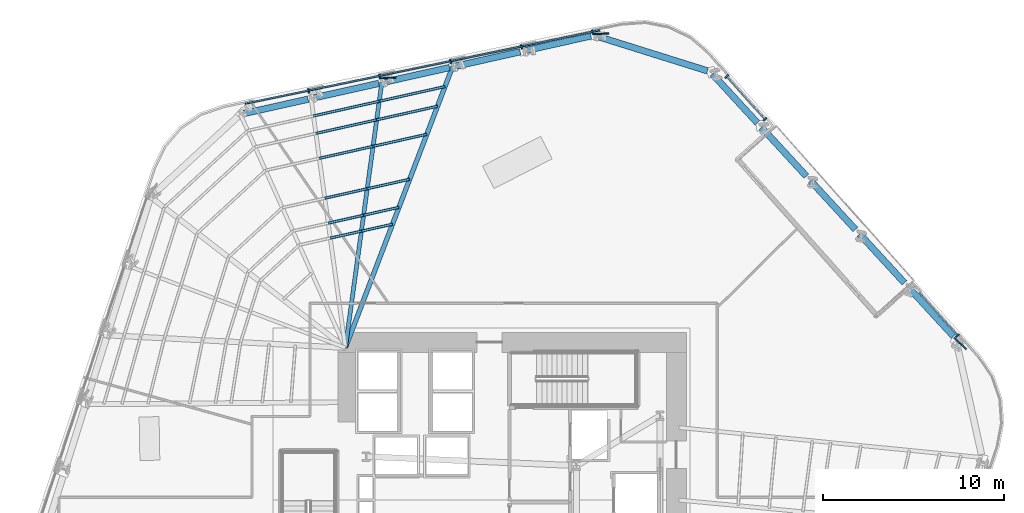
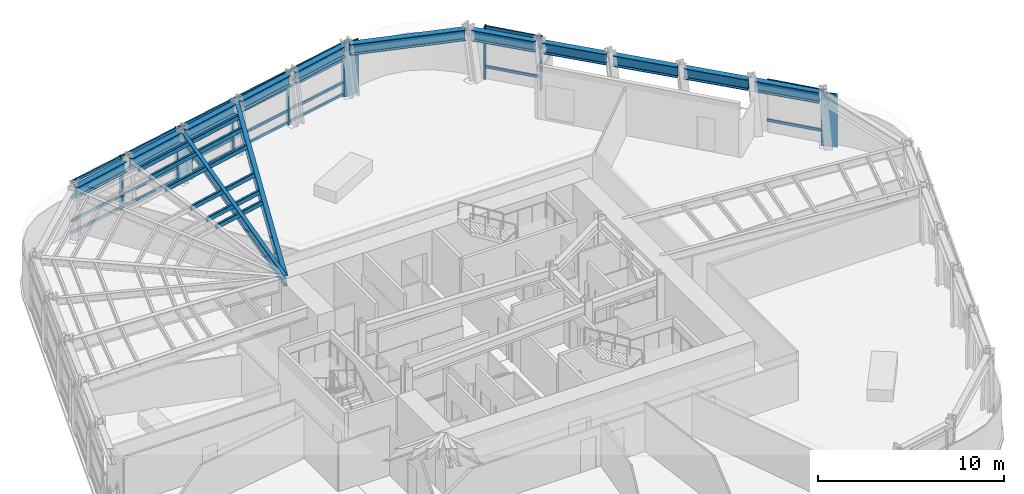
# One storey, part 6 of 17: 31 members, 13 beams, 2 elements without a shape of their own.
"""IFC4 building model written with IfcOpenShell, lengths in metres."""

from ifc_helpers import new_model, si_unit, direction, frame, origin, origin_2d, place, context, subcontext, project, spatial, rectangle, hollow_rectangle, i_section, extrude, material, layer, layer_set, material_profile, profile_set, type_object, element, aggregate, save


model = new_model("IFC4")

# Units and contexts
model_context = context("Model", 3, precision=1e-05, world=origin(), true_north=direction((0.0, 1.0)))
body_context = subcontext(model_context, "Body", "Model", "MODEL_VIEW")
ifc_project = project(units=[si_unit("LENGTHUNIT", "METRE"), si_unit("AREAUNIT", "SQUARE_METRE"), si_unit("VOLUMEUNIT", "CUBIC_METRE"), si_unit("PLANEANGLEUNIT", "RADIAN"), si_unit("MASSUNIT", "GRAM", prefix="KILO")], contexts=[model_context])

# Site, building, storey
site_placement = place(None, origin())
site = spatial("IfcSite", under=ifc_project, at=site_placement, CompositionType="ELEMENT")
building_placement = place(site_placement, origin())
building = spatial("IfcBuilding", under=site, at=building_placement, Name="Valkerne Bourse Tower", CompositionType="ELEMENT")
storey_placement = place(building_placement, frame((0.0, 0.0, 73.39990234375)))
storey = spatial("IfcBuildingStorey", under=building, at=storey_placement, Name="L18", CompositionType="ELEMENT", Elevation=73.39990234375)

# Beams
ifc_material_1 = material(Name="Steel ASTM A992", Category="steel")
ifc_material_profile_1 = material_profile(ifc_material_1, i_section(OverallWidth=0.228271484375, OverallDepth=0.607177734375, WebThickness=0.01123046875, FlangeThickness=0.017333984375, FilletRadius=0.017822265625, at=origin_2d()), Name="W24X76")
ifc_profile_set_1 = profile_set([ifc_material_profile_1], Name="Steel ASTM A992")
beam_type_1 = type_object("IfcBeamType", Name="BM-W24X76", PredefinedType="JOIST", material=ifc_profile_set_1)
beam_1_placement = place(storey_placement, frame((39.607666015625, 50.017578125, 3.216552734375), z_axis=(-0.136061222616, -0.990700430857, 0.0), x_axis=(0.990700430857, -0.136061222616, 0.0)))
element("IfcBeam", 1, at=beam_1_placement, inside=storey, type_object=beam_type_1, Name="L18 Radial Composite Floor Beam 09", PredefinedType="JOIST", context=body_context, shape_type="SweptSolid", body=[
    extrude(i_section(OverallWidth=0.228271484375, OverallDepth=0.607177734375, WebThickness=0.01123046875, FlangeThickness=0.017333984375, FilletRadius=0.017822265625, at=origin_2d()), origin(), (0.0, 0.0, 1.0), 14.7548828125),
])
ifc_material_profile_2 = material_profile(ifc_material_1, i_section(OverallWidth=0.255859375, OverallDepth=0.693359375, WebThickness=0.014404296875, FlangeThickness=0.023681640625, FilletRadius=0.02294921875, at=origin_2d()), Name="W27X114")
ifc_profile_set_2 = profile_set([ifc_material_profile_2], Name="Steel ASTM A992")
beam_type_2 = type_object("IfcBeamType", Name="BM-W27X114", PredefinedType="BEAM", material=ifc_profile_set_2)
beam_2_placement = place(storey_placement, frame((43.50732421875, 50.889404296875, 3.17333984375), z_axis=(-0.356335805119, -0.934357958167, 0.0), x_axis=(0.934357958167, -0.356335805119, 0.0)))
element("IfcBeam", 2, at=beam_2_placement, inside=storey, type_object=beam_type_2, Name="L18 Radial Composite Floor Beam 08", PredefinedType="BEAM", context=body_context, shape_type="SweptSolid", body=[
    extrude(i_section(OverallWidth=0.255859375, OverallDepth=0.693359375, WebThickness=0.014404296875, FlangeThickness=0.023681640625, FilletRadius=0.02294921875, at=origin_2d()), origin(), (0.0, 0.0, 1.0), 16.57763671875),
])
ifc_material_profile_3 = material_profile(ifc_material_1, i_section(OverallWidth=0.358154296875, OverallDepth=0.7060546875, WebThickness=0.018310546875, FlangeThickness=0.0302734375, FilletRadius=0.02294921875, at=origin_2d()), Name="W27X178")
ifc_profile_set_3 = profile_set([ifc_material_profile_3], Name="Steel ASTM A992")
beam_type_3 = type_object("IfcBeamType", Name="BM-W27X178", PredefinedType="SPANDREL", material=ifc_profile_set_3)
for number, where, z_axis, x_axis, name in (
    (3, (71.136962890625, 36.038330078125, 3.1669921875), (-0.676869887197, 0.736102680206, 0.0), (-0.736102680206, -0.676869887197, 0.0), "L18 Hexagonal Spandrel Ring Beam 00"),
    (4, (68.43212890625, 38.979736328125, 3.1669921875), (-0.676869887197, 0.736102680206, 0.0), (-0.736102680206, -0.676869887197, 0.0), "L18 Hexagonal Spandrel Ring Beam 01"),
    (5, (65.727294921875, 41.921142578125, 3.1669921875), (-0.676869887197, 0.736102680206, 0.0), (-0.736102680206, -0.676869887197, 0.0), "L18 Hexagonal Spandrel Ring Beam 02"),
):
    element("IfcBeam", number, at=place(storey_placement, frame(where, z_axis=z_axis, x_axis=x_axis)), inside=storey, type_object=beam_type_3, Name=name, PredefinedType="SPANDREL", context=body_context, shape_type="SweptSolid", body=[
        extrude(i_section(OverallWidth=0.358154296875, OverallDepth=0.7060546875, WebThickness=0.018310546875, FlangeThickness=0.0302734375, FilletRadius=0.02294921875, at=origin_2d()), origin(), (0.0, 0.0, 1.0), 3.656005859375),
    ])
beam_3_placement = place(storey_placement, frame((63.0224609375, 44.862548828125, 3.1669921875), z_axis=(-0.67683661589, 0.736133272846, 0.0), x_axis=(-0.736133272846, -0.67683661589, 0.0)))
element("IfcBeam", 6, at=beam_3_placement, inside=storey, type_object=beam_type_3, Name="L18 Hexagonal Spandrel Ring Beam 03", PredefinedType="SPANDREL", context=body_context, shape_type="SweptSolid", body=[
    extrude(i_section(OverallWidth=0.358154296875, OverallDepth=0.7060546875, WebThickness=0.018310546875, FlangeThickness=0.0302734375, FilletRadius=0.02294921875, at=origin_2d()), origin(), (0.0, 0.0, 1.0), 3.65625),
])
beam_4_placement = place(storey_placement, frame((60.317626953125, 47.80419921875, 3.1669921875), z_axis=(-0.676869887197, 0.736102680206, 0.0), x_axis=(-0.736102680206, -0.676869887197, 0.0)))
element("IfcBeam", 7, at=beam_4_placement, inside=storey, type_object=beam_type_3, Name="L18 Hexagonal Spandrel Ring Beam 04", PredefinedType="SPANDREL", context=body_context, shape_type="SweptSolid", body=[
    extrude(i_section(OverallWidth=0.358154296875, OverallDepth=0.7060546875, WebThickness=0.018310546875, FlangeThickness=0.0302734375, FilletRadius=0.02294921875, at=origin_2d()), origin(), (0.0, 0.0, 1.0), 3.656005859375),
])
beam_5_placement = place(storey_placement, frame((57.56591796875, 50.671142578125, 3.1669921875), z_axis=(-0.954241024327, 0.299038571913, 0.0), x_axis=(-0.299038571913, -0.954241024327, 0.0)))
element("IfcBeam", 8, at=beam_5_placement, inside=storey, type_object=beam_type_3, Name="L18 Hexagonal Spandrel Ring Beam 05", PredefinedType="SPANDREL", context=body_context, shape_type="SweptSolid", body=[
    extrude(i_section(OverallWidth=0.358154296875, OverallDepth=0.7060546875, WebThickness=0.018310546875, FlangeThickness=0.0302734375, FilletRadius=0.02294921875, at=origin_2d()), origin(), (0.0, 0.0, 1.0), 6.389404296875),
])
beam_6_placement = place(storey_placement, frame((51.14111328125, 52.595703125, 3.1669921875), z_axis=(-0.975914480945, -0.218153445723, 0.0), x_axis=(0.218153445723, -0.975914480945, 0.0)))
element("IfcBeam", 9, at=beam_6_placement, inside=storey, type_object=beam_type_3, Name="L18 Hexagonal Spandrel Ring Beam 06", PredefinedType="SPANDREL", context=body_context, shape_type="SweptSolid", body=[
    extrude(i_section(OverallWidth=0.358154296875, OverallDepth=0.7060546875, WebThickness=0.018310546875, FlangeThickness=0.0302734375, FilletRadius=0.02294921875, at=origin_2d()), origin(), (0.0, 0.0, 1.0), 3.65625),
])
for number, where, z_axis, x_axis, name in (
    (10, (47.2412109375, 51.723876953125, 3.1669921875), (-0.975925519006, -0.218104060837, 0.0), (0.218104060837, -0.975925519006, 0.0), "L18 Hexagonal Spandrel Ring Beam 07"),
    (11, (43.341552734375, 50.852294921875, 3.1669921875), (-0.975911302758, -0.218167662933, 0.0), (0.218167662933, -0.975911302758, 0.0), "L18 Hexagonal Spandrel Ring Beam 08"),
    (12, (39.44189453125, 49.98046875, 3.1669921875), (-0.975928695387, -0.218089847358, 0.0), (0.218089847358, -0.975928695387, 0.0), "L18 Hexagonal Spandrel Ring Beam 09"),
    (13, (35.5419921875, 49.10888671875, 3.1669921875), (-0.975911302758, -0.218167662933, 0.0), (0.218167662933, -0.975911302758, 0.0), "L18 Hexagonal Spandrel Ring Beam 10"),
):
    element("IfcBeam", number, at=place(storey_placement, frame(where, z_axis=z_axis, x_axis=x_axis)), inside=storey, type_object=beam_type_3, Name=name, PredefinedType="SPANDREL", context=body_context, shape_type="SweptSolid", body=[
        extrude(i_section(OverallWidth=0.358154296875, OverallDepth=0.7060546875, WebThickness=0.018310546875, FlangeThickness=0.0302734375, FilletRadius=0.02294921875, at=origin_2d()), origin(), (0.0, 0.0, 1.0), 3.656005859375),
    ])

# Curtain wall, members
ifc_material_2 = material(Name="Aluminium AA 6063-T6", Category="aluminium")
ifc_layer = layer(ifc_material_2, 0.22509765625)
ifc_layer_set = layer_set([ifc_layer], Name="Aluminium AA 6063-T6")
curtain_wall_type = type_object("IfcCurtainWallType", Name="CW-01", PredefinedType="NOTDEFINED", material=ifc_layer_set)
curtain_wall_1_placement = place(storey_placement, origin())
curtain_wall_1 = element("IfcCurtainWall", 14, at=curtain_wall_1_placement, inside=storey, type_object=curtain_wall_type, Name="L18 Hexagonal Stick Curtain Wall Face 1", PredefinedType="NOTDEFINED")
ifc_material_profile_4 = material_profile(ifc_material_2, rectangle(XDim=0.090087890625, YDim=0.239990234375, at=origin_2d()), Name="CWM-90X240")
ifc_profile_set_4 = profile_set([ifc_material_profile_4], Name="Aluminium AA 6063-T6")
member_type_1 = type_object("IfcMemberType", Name="CW-MUL-240X90", PredefinedType="MULLION", material=ifc_profile_set_4)
member_1_placement = place(storey_placement, frame((71.363525390625, 36.06787109375, 0.0), z_axis=(0.0, 0.0, 1.0), x_axis=(-0.66521771062, 0.746649447517, 0.0)))
member_1 = element("IfcMember", 15, at=member_1_placement, type_object=member_type_1, Name="CW-L18-F1 Jamb Mullion 00A", PredefinedType="MULLION", context=body_context, shape_type="SweptSolid", body=[
    extrude(rectangle(XDim=0.090087890625, YDim=0.239990234375, at=origin_2d()), origin(), (0.0, 0.0, 1.0), 3.52001953125),
])
member_2_placement = place(storey_placement, frame((60.73046875, 48.002197265625, 0.0), z_axis=(0.0, 0.0, 1.0), x_axis=(-0.665231661406, 0.746637018011, 0.0)))
member_2 = element("IfcMember", 16, at=member_2_placement, type_object=member_type_1, Name="CW-L18-F1 Jamb Mullion 04A", PredefinedType="MULLION", context=body_context, shape_type="SweptSolid", body=[
    extrude(rectangle(XDim=0.090087890625, YDim=0.239990234375, at=origin_2d()), origin(), (0.0, 0.0, 1.0), 3.52001953125),
])
member_3_placement = place(storey_placement, frame((58.631103515625, 50.3583984375, 0.0), z_axis=(0.0, 0.0, 1.0), x_axis=(-0.665231661406, 0.746637018011, 0.0)))
member_3 = element("IfcMember", 17, at=member_3_placement, type_object=member_type_1, Name="CW-L18-F1 Jamb Mullion 04B", PredefinedType="MULLION", context=body_context, shape_type="SweptSolid", body=[
    extrude(rectangle(XDim=0.090087890625, YDim=0.239990234375, at=origin_2d()), origin(), (0.0, 0.0, 1.0), 3.52001953125),
])

curtain_wall_2_placement = place(storey_placement, origin())
curtain_wall_2 = element("IfcCurtainWall", 18, at=curtain_wall_2_placement, inside=storey, type_object=curtain_wall_type, Name="L18 Hexagonal Stick Curtain Wall Face 2", PredefinedType="NOTDEFINED")
member_4_placement = place(storey_placement, frame((51.228759765625, 52.806396484375, 0.0), z_axis=(0.0, 0.0, 1.0), x_axis=(-0.97922496445, -0.202776894635, 0.0)))
member_4 = element("IfcMember", 19, at=member_4_placement, type_object=member_type_1, Name="CW-L18-F2 Jamb Mullion 00A", PredefinedType="MULLION", context=body_context, shape_type="SweptSolid", body=[
    extrude(rectangle(XDim=0.090087890625, YDim=0.239990234375, at=origin_2d()), origin(), (0.0, 0.0, 1.0), 3.52001953125),
])
member_5_placement = place(storey_placement, frame((47.31591796875, 51.99609375, 0.0), z_axis=(0.0, 0.0, 1.0), x_axis=(-0.979223935426, -0.202781863804, 0.0)))
member_5 = element("IfcMember", 20, at=member_5_placement, type_object=member_type_1, Name="CW-L18-F2 Jamb Mullion 01A", PredefinedType="MULLION", context=body_context, shape_type="SweptSolid", body=[
    extrude(rectangle(XDim=0.090087890625, YDim=0.239990234375, at=origin_2d()), origin(), (0.0, 0.0, 1.0), 3.52001953125),
])
member_6_placement = place(storey_placement, frame((43.40283203125, 51.185791015625, 0.0), z_axis=(0.0, 0.0, 1.0), x_axis=(-0.97921999513, -0.202800890378, 0.0)))
member_6 = element("IfcMember", 21, at=member_6_placement, type_object=member_type_1, Name="CW-L18-F2 Jamb Mullion 02A", PredefinedType="MULLION", context=body_context, shape_type="SweptSolid", body=[
    extrude(rectangle(XDim=0.090087890625, YDim=0.239990234375, at=origin_2d()), origin(), (0.0, 0.0, 1.0), 3.52001953125),
])
member_7_placement = place(storey_placement, frame((39.489990234375, 50.37548828125, 0.0), z_axis=(0.0, 0.0, 1.0), x_axis=(-0.97922496445, -0.202776894635, 0.0)))
member_7 = element("IfcMember", 22, at=member_7_placement, type_object=member_type_1, Name="CW-L18-F2 Jamb Mullion 03A", PredefinedType="MULLION", context=body_context, shape_type="SweptSolid", body=[
    extrude(rectangle(XDim=0.090087890625, YDim=0.239990234375, at=origin_2d()), origin(), (0.0, 0.0, 1.0), 3.52001953125),
])
member_8_placement = place(storey_placement, frame((35.576904296875, 49.565185546875, 0.0), z_axis=(0.0, 0.0, 1.0), x_axis=(-0.97921999513, -0.202800890378, 0.0)))
member_8 = element("IfcMember", 23, at=member_8_placement, type_object=member_type_1, Name="CW-L18-F2 Jamb Mullion 04A", PredefinedType="MULLION", context=body_context, shape_type="SweptSolid", body=[
    extrude(rectangle(XDim=0.090087890625, YDim=0.239990234375, at=origin_2d()), origin(), (0.0, 0.0, 1.0), 3.52001953125),
])

# Member
ifc_material_profile_5 = material_profile(ifc_material_2, rectangle(XDim=0.090087890625, YDim=0.179931640625, at=origin_2d()), Name="CWT-90X180")
ifc_profile_set_5 = profile_set([ifc_material_profile_5], Name="Aluminium AA 6063-T6")
member_type_2 = type_object("IfcMemberType", Name="CW-TRN-180X90", PredefinedType="USERDEFINED", material=ifc_profile_set_5)
member_9_placement = place(storey_placement, frame((71.363525390625, 36.06787109375, 0.85009765625), z_axis=(-0.665203689747, 0.746661938997, 0.0), x_axis=(-0.746661938997, -0.665203689747, 0.0)))
member_9 = element("IfcMember", 24, at=member_9_placement, type_object=member_type_2, Name="CW-L18-F1 Bay Transom 00-1", ObjectType="TRANSOM", PredefinedType="USERDEFINED", context=body_context, shape_type="SweptSolid", body=[
    extrude(rectangle(XDim=0.090087890625, YDim=0.179931640625, at=origin_2d()), origin(), (0.0, 0.0, 1.0), 3.156005859375),
])

member_10_placement = place(storey_placement, frame((71.363525390625, 36.06787109375, 3.440185546875), z_axis=(-0.665203689747, 0.746661938997, 0.0), x_axis=(-0.746661938997, -0.665203689747, 0.0)))
member_10 = element("IfcMember", 25, at=member_10_placement, type_object=member_type_2, Name="CW-L18-F1 Bay Transom 00-2", ObjectType="TRANSOM", PredefinedType="USERDEFINED", context=body_context, shape_type="SweptSolid", body=[
    extrude(rectangle(XDim=0.090087890625, YDim=0.179931640625, at=origin_2d()), origin(), (0.0, 0.0, 1.0), 3.156005859375),
])

member_11_placement = place(storey_placement, frame((60.73046875, 48.002197265625, 0.85009765625), z_axis=(-0.665242113563, 0.746627705314, 0.0), x_axis=(-0.746627705314, -0.665242113563, 0.0)))
member_11 = element("IfcMember", 26, at=member_11_placement, type_object=member_type_2, Name="CW-L18-F1 Bay Transom 04-1", ObjectType="TRANSOM", PredefinedType="USERDEFINED", context=body_context, shape_type="SweptSolid", body=[
    extrude(rectangle(XDim=0.090087890625, YDim=0.179931640625, at=origin_2d()), origin(), (0.0, 0.0, 1.0), 3.15576171875),
])

member_12_placement = place(storey_placement, frame((60.73046875, 48.002197265625, 3.440185546875), z_axis=(-0.665242113563, 0.746627705314, 0.0), x_axis=(-0.746627705314, -0.665242113563, 0.0)))
member_12 = element("IfcMember", 27, at=member_12_placement, type_object=member_type_2, Name="CW-L18-F1 Bay Transom 04-2", ObjectType="TRANSOM", PredefinedType="USERDEFINED", context=body_context, shape_type="SweptSolid", body=[
    extrude(rectangle(XDim=0.090087890625, YDim=0.179931640625, at=origin_2d()), origin(), (0.0, 0.0, 1.0), 3.15576171875),
])

aggregate(curtain_wall_1, [member_1, member_9, member_10, member_2, member_3, member_11, member_12])

member_13_placement = place(storey_placement, frame((51.635986328125, 52.9111328125, 0.1201171875), z_axis=(-0.979224707992, -0.202778133085, 0.0), x_axis=(0.202778133085, -0.979224707992, 0.0)))
member_13 = element("IfcMember", 28, at=member_13_placement, type_object=member_type_2, Name="CW-L18-F2 Continuous Face Transom 1", ObjectType="TRANSOM", PredefinedType="USERDEFINED", context=body_context, shape_type="SweptSolid", body=[
    extrude(rectangle(XDim=0.090087890625, YDim=0.179931640625, at=origin_2d()), origin(), (0.0, 0.0, 1.0), 19.97998046875),
])

member_14_placement = place(storey_placement, frame((51.635986328125, 52.9111328125, 0.900146484375), z_axis=(-0.979224707992, -0.202778133085, 0.0), x_axis=(0.202778133085, -0.979224707992, 0.0)))
member_14 = element("IfcMember", 29, at=member_14_placement, type_object=member_type_2, Name="CW-L18-F2 Continuous Face Transom 2", ObjectType="TRANSOM", PredefinedType="USERDEFINED", context=body_context, shape_type="SweptSolid", body=[
    extrude(rectangle(XDim=0.090087890625, YDim=0.179931640625, at=origin_2d()), origin(), (0.0, 0.0, 1.0), 19.97998046875),
])

member_15_placement = place(storey_placement, frame((51.635986328125, 52.9111328125, 2.400146484375), z_axis=(-0.979224707992, -0.202778133085, 0.0), x_axis=(0.202778133085, -0.979224707992, 0.0)))
member_15 = element("IfcMember", 30, at=member_15_placement, type_object=member_type_2, Name="CW-L18-F2 Continuous Face Transom 3", ObjectType="TRANSOM", PredefinedType="USERDEFINED", context=body_context, shape_type="SweptSolid", body=[
    extrude(rectangle(XDim=0.090087890625, YDim=0.179931640625, at=origin_2d()), origin(), (0.0, 0.0, 1.0), 19.97998046875),
])

member_16_placement = place(storey_placement, frame((51.635986328125, 52.9111328125, 3.440185546875), z_axis=(-0.979224707992, -0.202778133085, 0.0), x_axis=(0.202778133085, -0.979224707992, 0.0)))
member_16 = element("IfcMember", 31, at=member_16_placement, type_object=member_type_2, Name="CW-L18-F2 Continuous Face Transom 4", ObjectType="TRANSOM", PredefinedType="USERDEFINED", context=body_context, shape_type="SweptSolid", body=[
    extrude(rectangle(XDim=0.090087890625, YDim=0.179931640625, at=origin_2d()), origin(), (0.0, 0.0, 1.0), 19.97998046875),
])

aggregate(curtain_wall_2, [member_13, member_14, member_15, member_16, member_4, member_5, member_6, member_7, member_8])

# Members
ifc_material_3 = material(Name="Bronze Anodised Aluminium AA 6063-T6", Category="aluminium")
ifc_material_profile_6 = material_profile(ifc_material_3, rectangle(XDim=0.070068359375, YDim=0.89990234375, at=origin_2d()), Name="FIN-70X900")
ifc_profile_set_6 = profile_set([ifc_material_profile_6], Name="Bronze Anodised Aluminium AA 6063-T6")
member_type_3 = type_object("IfcMemberType", Name="FIN-SOLAR-900", PredefinedType="USERDEFINED", material=ifc_profile_set_6)
for number, where, z_axis, x_axis, name in (
    (32, (71.508544921875, 35.634521484375, 0.004150390625), (0.0, 0.0, 1.0), (0.684740879038, 0.728786613883, 0.0), "L18 Bronze Anodised Solar Fin F1-00"),
    (33, (51.676513671875, 52.71533203125, 0.004150390625), (0.0, 0.0, 1.0), (-0.051396669529, 0.998678317759, 0.0), "L18 Bronze Anodised Solar Fin F2-00"),
    (34, (39.937744140625, 50.284423828125, 0.004150390625), (0.0, 0.0, 1.0), (-0.051396669529, 0.998678317759, 0.0), "L18 Bronze Anodised Solar Fin F2-03"),
):
    element("IfcMember", number, at=place(storey_placement, frame(where, z_axis=z_axis, x_axis=x_axis)), inside=storey, type_object=member_type_3, Name=name, ObjectType="SOLAR_FIN", PredefinedType="USERDEFINED", context=body_context, shape_type="SweptSolid", body=[
        extrude(rectangle(XDim=0.070068359375, YDim=0.89990234375, at=origin_2d()), origin(), (0.0, 0.0, 1.0), 3.511962890625),
    ])
ifc_material_4 = material(Name="Steel ASTM A500 Grade C", Category="steel")
ifc_material_profile_7 = material_profile(ifc_material_4, hollow_rectangle(XDim=0.14990234375, YDim=0.300048828125, WallThickness=0.012451171875, OuterFilletRadius=0.02490234375, at=origin_2d()), Name="HSS300X150X12.5")
ifc_profile_set_7 = profile_set([ifc_material_profile_7], Name="Steel ASTM A500 Grade C")
member_type_4 = type_object("IfcMemberType", Name="MBR-HSS300X150X12.5", PredefinedType="PURLIN", material=ifc_profile_set_7)
for number, where, z_axis, x_axis, name in (
    (35, (40.19921875, 42.21533203125, 3.360107421875), (-0.975915110036, -0.218150631455, 0.0), (0.218150631455, -0.975915110036, 0.0), "L18 Secondary Composite Floor Purlin K-08"),
    (36, (38.4833984375, 41.831787109375, 3.360107421875), (-0.975915110036, -0.218150631455, 0.0), (0.218150631455, -0.975915110036, 0.0), "L18 Secondary Composite Floor Purlin K-09"),
):
    element("IfcMember", number, at=place(storey_placement, frame(where, z_axis=z_axis, x_axis=x_axis)), inside=storey, type_object=member_type_4, Name=name, PredefinedType="PURLIN", context=body_context, shape_type="SweptSolid", body=[
        extrude(hollow_rectangle(XDim=0.14990234375, YDim=0.300048828125, WallThickness=0.012451171875, OuterFilletRadius=0.02490234375, at=origin_2d()), origin(), (0.0, 0.0, 1.0), 1.758056640625),
    ])
member_17_placement = place(storey_placement, frame((40.5537109375, 43.14453125, 3.360107421875), z_axis=(-0.975918908007, -0.218133640219, 0.0), x_axis=(0.218133640219, -0.975918908007, 0.0)))
element("IfcMember", 37, at=member_17_placement, inside=storey, type_object=member_type_4, Name="L18 Secondary Composite Floor Purlin M-08", PredefinedType="PURLIN", context=body_context, shape_type="SweptSolid", body=[
    extrude(hollow_rectangle(XDim=0.14990234375, YDim=0.300048828125, WallThickness=0.012451171875, OuterFilletRadius=0.02490234375, at=origin_2d()), origin(), (0.0, 0.0, 1.0), 1.997802734375),
])
member_18_placement = place(storey_placement, frame((38.60400390625, 42.708740234375, 3.360107421875), z_axis=(-0.975924721699, -0.218107628425, 0.0), x_axis=(0.218107628425, -0.975924721699, 0.0)))
element("IfcMember", 38, at=member_18_placement, inside=storey, type_object=member_type_4, Name="L18 Secondary Composite Floor Purlin M-09", PredefinedType="PURLIN", context=body_context, shape_type="SweptSolid", body=[
    extrude(hollow_rectangle(XDim=0.14990234375, YDim=0.300048828125, WallThickness=0.012451171875, OuterFilletRadius=0.02490234375, at=origin_2d()), origin(), (0.0, 0.0, 1.0), 1.998046875),
])
member_19_placement = place(storey_placement, frame((42.089599609375, 47.171875, 3.360107421875), z_axis=(-0.975923401854, -0.218113534, 0.0), x_axis=(0.218113534, -0.975923401854, 0.0)))
element("IfcMember", 39, at=member_19_placement, inside=storey, type_object=member_type_4, Name="L18 Secondary Composite Floor Purlin O-08", PredefinedType="PURLIN", context=body_context, shape_type="SweptSolid", body=[
    extrude(hollow_rectangle(XDim=0.14990234375, YDim=0.300048828125, WallThickness=0.012451171875, OuterFilletRadius=0.02490234375, at=origin_2d()), origin(), (0.0, 0.0, 1.0), 3.03662109375),
])
member_20_placement = place(storey_placement, frame((39.1259765625, 46.509521484375, 3.360107421875), z_axis=(-0.975910112827, -0.218172985685, 0.0), x_axis=(0.218172985685, -0.975910112827, 0.0)))
element("IfcMember", 40, at=member_20_placement, inside=storey, type_object=member_type_4, Name="L18 Secondary Composite Floor Purlin O-09", PredefinedType="PURLIN", context=body_context, shape_type="SweptSolid", body=[
    extrude(hollow_rectangle(XDim=0.14990234375, YDim=0.300048828125, WallThickness=0.012451171875, OuterFilletRadius=0.02490234375, at=origin_2d()), origin(), (0.0, 0.0, 1.0), 3.037109375),
])
member_21_placement = place(storey_placement, frame((41.144287109375, 44.693603515625, 3.360107421875), z_axis=(-0.975917938856, -0.218137976107, 0.0), x_axis=(0.218137976107, -0.975917938856, 0.0)))
element("IfcMember", 41, at=member_21_placement, inside=storey, type_object=member_type_4, Name="L18 Secondary Composite Floor Purlin Z-08", PredefinedType="PURLIN", context=body_context, shape_type="SweptSolid", body=[
    extrude(hollow_rectangle(XDim=0.14990234375, YDim=0.300048828125, WallThickness=0.012451171875, OuterFilletRadius=0.02490234375, at=origin_2d()), origin(), (0.0, 0.0, 1.0), 2.397216796875),
])
member_22_placement = place(storey_placement, frame((38.8046875, 44.170654296875, 3.360107421875), z_axis=(-0.975905951973, -0.218191596774, 0.0), x_axis=(0.218191596774, -0.975905951973, 0.0)))
element("IfcMember", 42, at=member_22_placement, inside=storey, type_object=member_type_4, Name="L18 Secondary Composite Floor Purlin Z-09", PredefinedType="PURLIN", context=body_context, shape_type="SweptSolid", body=[
    extrude(hollow_rectangle(XDim=0.14990234375, YDim=0.300048828125, WallThickness=0.012451171875, OuterFilletRadius=0.02490234375, at=origin_2d()), origin(), (0.0, 0.0, 1.0), 2.39794921875),
])
for number, where, z_axis, x_axis, name in (
    (43, (42.680419921875, 48.720703125, 3.360107421875), (-0.97592558316, -0.218103773772, 0.0), (0.218103773772, -0.97592558316, 0.0), "L18 Secondary Composite Floor Purlin T-08"),
    (44, (39.32666015625, 47.97119140625, 3.360107421875), (-0.975910459207, -0.218171436283, 0.0), (0.218171436283, -0.975910459207, 0.0), "L18 Secondary Composite Floor Purlin T-09"),
):
    element("IfcMember", number, at=place(storey_placement, frame(where, z_axis=z_axis, x_axis=x_axis)), inside=storey, type_object=member_type_4, Name=name, PredefinedType="PURLIN", context=body_context, shape_type="SweptSolid", body=[
        extrude(hollow_rectangle(XDim=0.14990234375, YDim=0.300048828125, WallThickness=0.012451171875, OuterFilletRadius=0.02490234375, at=origin_2d()), origin(), (0.0, 0.0, 1.0), 3.4365234375),
    ])
member_23_placement = place(storey_placement, frame((43.093994140625, 49.804931640625, 3.360107421875), z_axis=(-0.975923557376, -0.218112838134, 0.0), x_axis=(0.218112838134, -0.975923557376, 0.0)))
element("IfcMember", 45, at=member_23_placement, inside=storey, type_object=member_type_4, Name="L18 Secondary Composite Floor Purlin U-08", PredefinedType="PURLIN", context=body_context, shape_type="SweptSolid", body=[
    extrude(hollow_rectangle(XDim=0.14990234375, YDim=0.300048828125, WallThickness=0.012451171875, OuterFilletRadius=0.02490234375, at=origin_2d()), origin(), (0.0, 0.0, 1.0), 3.716064453125),
])
member_24_placement = place(storey_placement, frame((39.46728515625, 48.994384765625, 3.360107421875), z_axis=(-0.975912698136, -0.218161421009, 0.0), x_axis=(0.218161421009, -0.975912698136, 0.0)))
element("IfcMember", 46, at=member_24_placement, inside=storey, type_object=member_type_4, Name="L18 Secondary Composite Floor Purlin U-09", PredefinedType="PURLIN", context=body_context, shape_type="SweptSolid", body=[
    extrude(hollow_rectangle(XDim=0.14990234375, YDim=0.300048828125, WallThickness=0.012451171875, OuterFilletRadius=0.02490234375, at=origin_2d()), origin(), (0.0, 0.0, 1.0), 3.716552734375),
])

save(model, "model.ifc")
